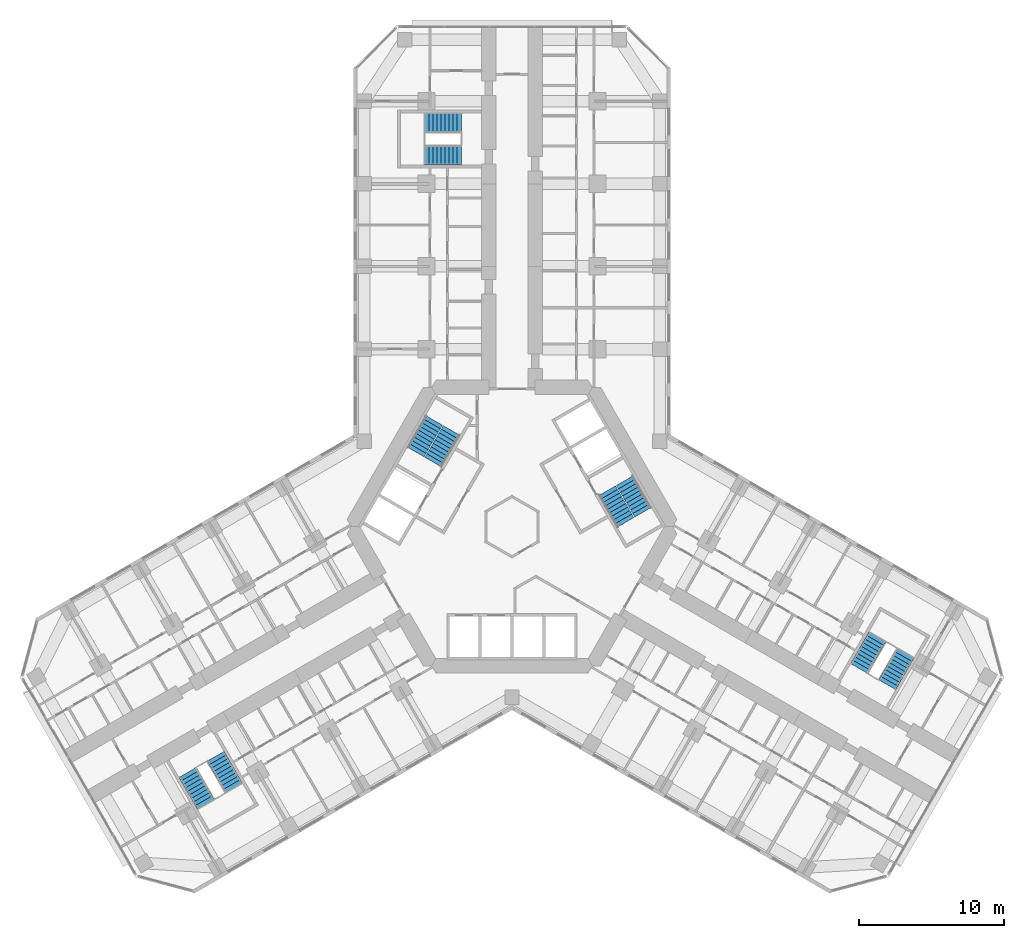
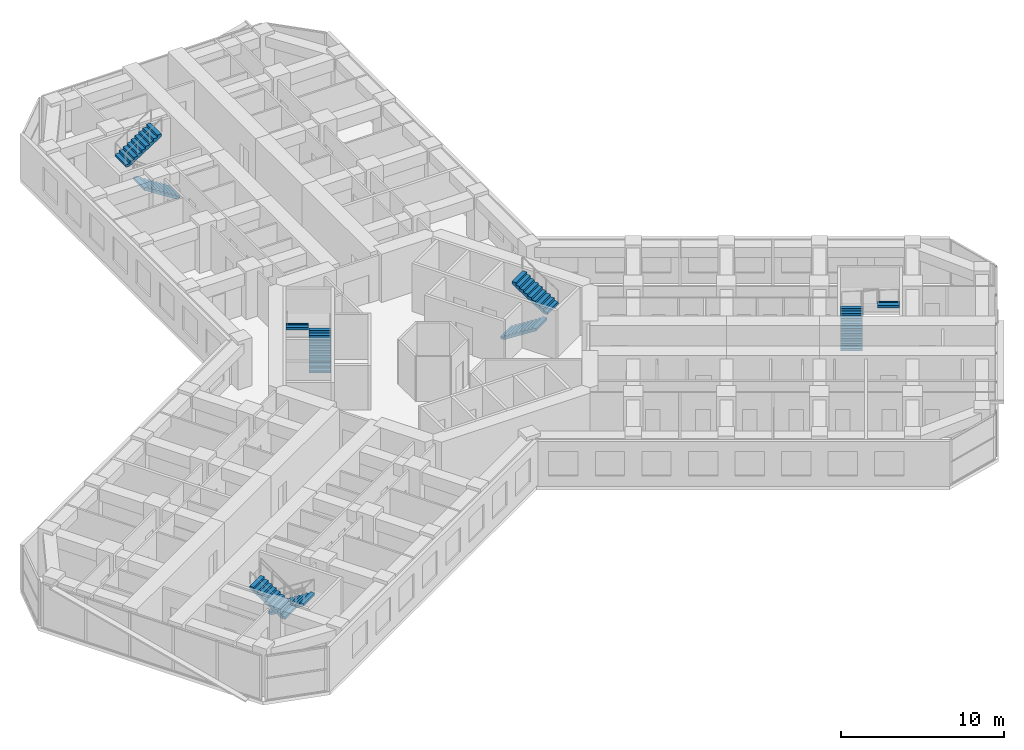
# One storey, part 20 of 21: 10 stair flights, 5 elements without a shape of their own.
"""IFC4 building model written with IfcOpenShell, lengths in metres."""

import ifcopenshell
import ifcopenshell.guid

model = None  # the IFC model being written
_history = None  # IfcOwnerHistory: only IFC2X3 demands one
_inside = {}  # id of a spatial element -> (the spatial element, [elements in it])
_under = {}  # id of a project, library or spatial element -> (it, [spatial elements below it])
_declared = {}  # id of a project -> (the project, [libraries it declares])
_typed = {}  # id of a type object -> (the type object, [elements of that type])
_made_of = {}  # id of a material, layer set ... -> (it, [elements and type objects made of it])


def new_model(schema):
    """Start an empty IFC model of exactly this schema.

    Asked for "IFC4X3", IfcOpenShell would pick the latest addendum, in which some entities
    have other attributes; the version numbers below select the first issue.
    IFC2X3 requires an IfcOwnerHistory on every rooted entity: one is made here for all.
    """
    global model, _history
    if schema == "IFC4X3":
        model = ifcopenshell.file(schema_version=(4, 3, 0, 0))
    else:
        model = ifcopenshell.file(schema=schema)
    _inside.clear()
    _under.clear()
    _declared.clear()
    _typed.clear()
    _made_of.clear()
    _history = None
    if model.schema == "IFC2X3":
        org = make("IfcOrganization", Name="unknown")
        user = make(
            "IfcPersonAndOrganization",
            ThePerson=make("IfcPerson", FamilyName="unknown"),
            TheOrganization=org,
        )
        app = make(
            "IfcApplication",
            ApplicationDeveloper=org,
            Version="unknown",
            ApplicationFullName="unknown",
            ApplicationIdentifier="unknown",
        )
        _history = make(
            "IfcOwnerHistory",
            OwningUser=user,
            OwningApplication=app,
            ChangeAction="ADDED",
            CreationDate=0,
        )
    return model


def make(cls, **values):
    """One entity of the class cls with the attributes given. An attribute that is None is left unset."""
    return model.create_entity(
        cls, **{name: value for name, value in values.items() if value is not None}
    )


def rooted(cls, **values):
    """An entity with a GlobalId (a new one), such as an element, a storey or a relation."""
    return make(cls, GlobalId=ifcopenshell.guid.new(), OwnerHistory=_history, **values)


def si_unit(unit_type, name, prefix=None):
    """IfcSIUnit, for example si_unit("LENGTHUNIT", "METRE", prefix="MILLI")."""
    return make("IfcSIUnit", UnitType=unit_type, Prefix=prefix, Name=name)


def assignment(units):
    """IfcUnitAssignment: the units of a project."""
    return None if units is None else make("IfcUnitAssignment", Units=units)


def point(xyz):
    """IfcCartesianPoint."""
    return None if xyz is None else make("IfcCartesianPoint", Coordinates=xyz)


def direction(xyz):
    """IfcDirection."""
    return None if xyz is None else make("IfcDirection", DirectionRatios=xyz)


def frame(location, z_axis=None, x_axis=None):
    """IfcAxis2Placement3D, a coordinate frame: its origin and axes. An axis left out is left unset."""
    return make(
        "IfcAxis2Placement3D",
        Location=point(location),
        Axis=direction(z_axis),
        RefDirection=direction(x_axis),
    )


def origin():
    """The frame at (0, 0, 0) with its axes left unset."""
    return frame((0.0, 0.0, 0.0))


def place(relative_to, where):
    """IfcLocalPlacement: puts the frame where relative to a parent placement (None: the world)."""
    return make(
        "IfcLocalPlacement", PlacementRelTo=relative_to, RelativePlacement=where
    )


def context(
    kind, dimensions, precision=None, world=None, true_north=None, identifier=None
):
    """IfcGeometricRepresentationContext, for example the 3D "Model" context."""
    return make(
        "IfcGeometricRepresentationContext",
        ContextIdentifier=identifier,
        ContextType=kind,
        CoordinateSpaceDimension=dimensions,
        Precision=precision,
        WorldCoordinateSystem=world,
        TrueNorth=true_north,
    )


def subcontext(parent, identifier, kind, view, scale=None):
    """IfcGeometricRepresentationSubContext, for example "Body" below "Model"."""
    return make(
        "IfcGeometricRepresentationSubContext",
        ContextIdentifier=identifier,
        ContextType=kind,
        ParentContext=parent,
        TargetScale=scale,
        TargetView=view,
    )


def project(units=None, contexts=None):
    """IfcProject with its units and contexts."""
    return rooted(
        "IfcProject",
        Name="project",
        RepresentationContexts=contexts,
        UnitsInContext=assignment(units),
    )


def spatial(cls, under=None, at=None, **own):
    """A site, building, storey or space (cls), placed at a placement, below another one or the project."""
    s = rooted(cls, ObjectPlacement=at, **own)
    if under is not None:
        _under.setdefault(under.id(), (under, []))[1].append(s)
    return s


def polyline(points):
    """IfcPolyline through the points."""
    return make("IfcPolyline", Points=[point(p) for p in points])


def outline(outer, holes=None, kind="AREA"):
    """IfcArbitraryClosedProfileDef: a profile drawn as a closed curve; with holes, ...WithVoids."""
    if holes is None:
        return make("IfcArbitraryClosedProfileDef", ProfileType=kind, OuterCurve=outer)
    return make(
        "IfcArbitraryProfileDefWithVoids",
        ProfileType=kind,
        OuterCurve=outer,
        InnerCurves=holes,
    )


def extrude(swept, where, along, depth):
    """IfcExtrudedAreaSolid: the profile swept, set in the frame where, extruded along a direction by depth."""
    return make(
        "IfcExtrudedAreaSolid",
        SweptArea=swept,
        Position=where,
        ExtrudedDirection=direction(along),
        Depth=depth,
    )


def shape(context_of_items, identifier, shape_type, items):
    """IfcShapeRepresentation: the items that make up one representation, for example the "Body"."""
    return make(
        "IfcShapeRepresentation",
        ContextOfItems=context_of_items,
        RepresentationIdentifier=identifier,
        RepresentationType=shape_type,
        Items=items,
    )


def material(Name=None, Category=None):
    """IfcMaterial."""
    return make("IfcMaterial", Name=Name, Category=Category)


def made_of(thing, what):
    """Note that an element or type object is made of a material, layer set ...; save() writes the relation."""
    if what is not None:
        _made_of.setdefault(what.id(), (what, []))[1].append(thing)
    return thing


def type_object(cls, material=None, **own):
    """A type object (cls), such as IfcWallType, which elements share."""
    return made_of(rooted(cls, **own), material)


def element(
    cls,
    number,
    at=None,
    inside=None,
    cuts=None,
    type_object=None,
    material=None,
    context=None,
    identifier="Body",
    shape_type=None,
    held_by="IfcProductDefinitionShape",
    body=None,
    shapes=None,
    **own,
):
    """One element of the class cls, such as IfcWall. Its Tag is "e" and its number.

    at: its placement. inside: the storey or other place that contains it. cuts: it is an
    opening in that element (IfcRelVoidsElement). A single representation is given by context,
    identifier, shape_type and body (its items); several are given by shapes. held_by: the class
    of the entity that holds the representations. save() writes the other relations.
    """
    e = rooted(cls, Tag="e%d" % number, ObjectPlacement=at, **own)
    if body is not None:
        shapes = [shape(context, identifier, shape_type, body)]
    if shapes is not None:
        e.Representation = make(held_by, Representations=shapes)
    if inside is not None:
        _inside.setdefault(inside.id(), (inside, []))[1].append(e)
    if cuts is not None:
        rooted(
            "IfcRelVoidsElement", RelatingBuildingElement=cuts, RelatedOpeningElement=e
        )
    if type_object is not None:
        _typed.setdefault(type_object.id(), (type_object, []))[1].append(e)
    return made_of(e, material)


def aggregate(whole, parts):
    """IfcRelAggregates: a whole, such as a stair, and the parts it consists of."""
    return rooted("IfcRelAggregates", RelatingObject=whole, RelatedObjects=parts)


def save(model, path):
    """Write the relations noted so far, then the file.

    IfcRelAggregates (storeys below a building ...), IfcRelContainedInSpatialStructure (elements
    in a storey), IfcRelDefinesByType, IfcRelAssociatesMaterial and IfcRelDeclares: one each for
    every whole, place, type object, material and project.
    """
    for whole, parts in _under.values():
        aggregate(whole, parts)
    for where, things in _inside.values():
        rooted(
            "IfcRelContainedInSpatialStructure",
            RelatedElements=things,
            RelatingStructure=where,
        )
    for kind, things in _typed.values():
        rooted("IfcRelDefinesByType", RelatedObjects=things, RelatingType=kind)
    for what, things in _made_of.values():
        rooted("IfcRelAssociatesMaterial", RelatedObjects=things, RelatingMaterial=what)
    for by, libraries in _declared.values():
        rooted("IfcRelDeclares", RelatingContext=by, RelatedDefinitions=libraries)
    model.write(path)


model = new_model("IFC4")

# Units and contexts
model_context = context("Model", 3, precision=1e-05, world=origin(), true_north=direction((0.0, 1.0)))
body_context = subcontext(model_context, "Body", "Model", "MODEL_VIEW")
ifc_project = project(units=[si_unit("LENGTHUNIT", "METRE"), si_unit("AREAUNIT", "SQUARE_METRE"), si_unit("VOLUMEUNIT", "CUBIC_METRE"), si_unit("PLANEANGLEUNIT", "RADIAN"), si_unit("MASSUNIT", "GRAM", prefix="KILO")], contexts=[model_context])

# Site, building, storey
site_placement = place(None, origin())
site = spatial("IfcSite", under=ifc_project, at=site_placement, CompositionType="ELEMENT")
building_placement = place(site_placement, origin())
building = spatial("IfcBuilding", under=site, at=building_placement, Name="Kosmar Iwan School Tower", CompositionType="ELEMENT")
storey_placement = place(building_placement, frame((0.0, 0.0, 64.60009765625)))
storey = spatial("IfcBuildingStorey", under=building, at=storey_placement, Name="L15", CompositionType="ELEMENT", Elevation=64.60009765625)

# Stair, stair flights
ifc_material_1 = material(Name="Concrete C35/45", Category="concrete")
stair_type_1 = type_object("IfcStairType", Name="Escape stair 3600", PredefinedType="HALF_TURN_STAIR", material=ifc_material_1)
stair_1_placement = place(storey_placement, origin())
stair_1 = element("IfcStair", 1, at=stair_1_placement, inside=storey, type_object=stair_type_1, Name="Stair WS1 L15", PredefinedType="HALF_TURN_STAIR")
ifc_material_2 = material(Name="Concrete C35/45", Category="concrete")
stair_flight_type_1 = type_object("IfcStairFlightType", Name="Escape stair flight 1350", PredefinedType="STRAIGHT", material=ifc_material_2)
stair_flight_1_placement = place(storey_placement, frame((-3.5, 25.625, 0.0), z_axis=(0.0, 0.0, 1.0), x_axis=(-1.0, 0.0, 0.0)))
stair_flight_1 = element("IfcStairFlight", 2, at=stair_flight_1_placement, type_object=stair_flight_type_1, Name="WS1 flight 1", NumberOfRisers=10, NumberOfTreads=9, PredefinedType="STRAIGHT", RiserHeight=0.18, TreadLength=0.28, context=body_context, shape_type="SweptSolid", body=[
    extrude(outline(polyline([(0.0, 0.0), (0.0, 0.179931640625), (0.280029296875, 0.179931640625), (0.280029296875, 0.360107421875), (0.56005859375, 0.360107421875), (0.56005859375, 0.5400390625), (0.840087890625, 0.5400390625), (0.840087890625, 0.719970703125), (1.1201171875, 0.719970703125), (1.1201171875, 0.89990234375), (1.39990234375, 0.89990234375), (1.39990234375, 1.080078125), (1.679931640625, 1.080078125), (1.679931640625, 1.260009765625), (1.9599609375, 1.260009765625), (1.9599609375, 1.43994140625), (2.239990234375, 1.43994140625), (2.239990234375, 1.6201171875), (2.52001953125, 1.6201171875), (2.52001953125, 1.800048828125), (2.52001953125, 1.44189453125), (0.277099609375, 0.0), (0.0, 0.0)])), frame((0.0, 0.675048828125, 0.0), z_axis=(0.0, -1.0, 0.0), x_axis=(1.0, 0.0, 0.0)), (0.0, 0.0, 1.0), 1.35009765625),
])
stair_flight_2_placement = place(storey_placement, frame((-6.02001953125, 27.875, 1.7998046875), z_axis=(0.0, 0.0, 1.0), x_axis=(1.0, 0.0, 0.0)))
stair_flight_2 = element("IfcStairFlight", 3, at=stair_flight_2_placement, type_object=stair_flight_type_1, Name="WS1 flight 2", NumberOfRisers=10, NumberOfTreads=9, PredefinedType="STRAIGHT", RiserHeight=0.18, TreadLength=0.28, context=body_context, shape_type="SweptSolid", body=[
    extrude(outline(polyline([(0.0, 0.0), (0.0, 0.179931640625), (0.280029296875, 0.179931640625), (0.280029296875, 0.360107421875), (0.56005859375, 0.360107421875), (0.56005859375, 0.5400390625), (0.840087890625, 0.5400390625), (0.840087890625, 0.719970703125), (1.1201171875, 0.719970703125), (1.1201171875, 0.89990234375), (1.39990234375, 0.89990234375), (1.39990234375, 1.080078125), (1.679931640625, 1.080078125), (1.679931640625, 1.260009765625), (1.9599609375, 1.260009765625), (1.9599609375, 1.43994140625), (2.239990234375, 1.43994140625), (2.239990234375, 1.6201171875), (2.52001953125, 1.6201171875), (2.52001953125, 1.800048828125), (2.52001953125, 1.44189453125), (0.277099609375, 0.0), (0.0, 0.0)])), frame((0.0, 0.675048828125, 0.0), z_axis=(0.0, -1.0, 0.0), x_axis=(1.0, 0.0, 0.0)), (0.0, 0.0, 1.0), 1.35009765625),
])
aggregate(stair_1, [stair_flight_1, stair_flight_2])

stair_2_placement = place(storey_placement, origin())
stair_2 = element("IfcStair", 4, at=stair_2_placement, inside=storey, type_object=stair_type_1, Name="Stair WS2 L15", PredefinedType="HALF_TURN_STAIR")
stair_flight_3_placement = place(storey_placement, frame((-20.44189453125, -15.843505859375, 0.0), z_axis=(0.0, 0.0, 1.0), x_axis=(0.5, -0.866025403784, 0.0)))
stair_flight_3 = element("IfcStairFlight", 5, at=stair_flight_3_placement, type_object=stair_flight_type_1, Name="WS2 flight 1", NumberOfRisers=10, NumberOfTreads=9, PredefinedType="STRAIGHT", RiserHeight=0.18, TreadLength=0.28, context=body_context, shape_type="SweptSolid", body=[
    extrude(outline(polyline([(0.0, 0.0), (0.0, 0.179931640625), (0.280029296875, 0.179931640625), (0.280029296875, 0.360107421875), (0.56005859375, 0.360107421875), (0.56005859375, 0.5400390625), (0.840087890625, 0.5400390625), (0.840087890625, 0.719970703125), (1.1201171875, 0.719970703125), (1.1201171875, 0.89990234375), (1.39990234375, 0.89990234375), (1.39990234375, 1.080078125), (1.679931640625, 1.080078125), (1.679931640625, 1.260009765625), (1.9599609375, 1.260009765625), (1.9599609375, 1.43994140625), (2.239990234375, 1.43994140625), (2.239990234375, 1.6201171875), (2.52001953125, 1.6201171875), (2.52001953125, 1.800048828125), (2.52001953125, 1.44189453125), (0.277099609375, 0.0), (0.0, 0.0)])), frame((0.0, 0.675048828125, 0.0), z_axis=(0.0, -1.0, 0.0), x_axis=(1.0, 0.0, 0.0)), (0.0, 0.0, 1.0), 1.35009765625),
])
stair_flight_4_placement = place(storey_placement, frame((-21.13037109375, -19.15087890625, 1.7998046875), z_axis=(0.0, 0.0, 1.0), x_axis=(-0.5, 0.866025403784, 0.0)))
stair_flight_4 = element("IfcStairFlight", 6, at=stair_flight_4_placement, type_object=stair_flight_type_1, Name="WS2 flight 2", NumberOfRisers=10, NumberOfTreads=9, PredefinedType="STRAIGHT", RiserHeight=0.18, TreadLength=0.28, context=body_context, shape_type="SweptSolid", body=[
    extrude(outline(polyline([(0.0, 0.0), (0.0, 0.179931640625), (0.280029296875, 0.179931640625), (0.280029296875, 0.360107421875), (0.56005859375, 0.360107421875), (0.56005859375, 0.5400390625), (0.840087890625, 0.5400390625), (0.840087890625, 0.719970703125), (1.1201171875, 0.719970703125), (1.1201171875, 0.89990234375), (1.39990234375, 0.89990234375), (1.39990234375, 1.080078125), (1.679931640625, 1.080078125), (1.679931640625, 1.260009765625), (1.9599609375, 1.260009765625), (1.9599609375, 1.43994140625), (2.239990234375, 1.43994140625), (2.239990234375, 1.6201171875), (2.52001953125, 1.6201171875), (2.52001953125, 1.800048828125), (2.52001953125, 1.44189453125), (0.277099609375, 0.0), (0.0, 0.0)])), frame((0.0, 0.675048828125, 0.0), z_axis=(0.0, -1.0, 0.0), x_axis=(1.0, 0.0, 0.0)), (0.0, 0.0, 1.0), 1.35009765625),
])
aggregate(stair_2, [stair_flight_3, stair_flight_4])

stair_3_placement = place(storey_placement, origin())
stair_3 = element("IfcStair", 7, at=stair_3_placement, inside=storey, type_object=stair_type_1, Name="Stair WS3 L15", PredefinedType="HALF_TURN_STAIR")
stair_flight_5_placement = place(storey_placement, frame((23.94189453125, -9.781494140625, 0.0), z_axis=(0.0, 0.0, 1.0), x_axis=(0.5, 0.866025403784, 0.0)))
stair_flight_5 = element("IfcStairFlight", 8, at=stair_flight_5_placement, type_object=stair_flight_type_1, Name="WS3 flight 1", NumberOfRisers=10, NumberOfTreads=9, PredefinedType="STRAIGHT", RiserHeight=0.18, TreadLength=0.28, context=body_context, shape_type="SweptSolid", body=[
    extrude(outline(polyline([(0.0, 0.0), (0.0, 0.179931640625), (0.280029296875, 0.179931640625), (0.280029296875, 0.360107421875), (0.56005859375, 0.360107421875), (0.56005859375, 0.5400390625), (0.840087890625, 0.5400390625), (0.840087890625, 0.719970703125), (1.1201171875, 0.719970703125), (1.1201171875, 0.89990234375), (1.39990234375, 0.89990234375), (1.39990234375, 1.080078125), (1.679931640625, 1.080078125), (1.679931640625, 1.260009765625), (1.9599609375, 1.260009765625), (1.9599609375, 1.43994140625), (2.239990234375, 1.43994140625), (2.239990234375, 1.6201171875), (2.52001953125, 1.6201171875), (2.52001953125, 1.800048828125), (2.52001953125, 1.44189453125), (0.277099609375, 0.0), (0.0, 0.0)])), frame((0.0, 0.675048828125, 0.0), z_axis=(0.0, -1.0, 0.0), x_axis=(1.0, 0.0, 0.0)), (0.0, 0.0, 1.0), 1.35009765625),
])
stair_flight_6_placement = place(storey_placement, frame((27.150390625, -8.72412109375, 1.7998046875), z_axis=(0.0, 0.0, 1.0), x_axis=(-0.5, -0.866025403784, 0.0)))
stair_flight_6 = element("IfcStairFlight", 9, at=stair_flight_6_placement, type_object=stair_flight_type_1, Name="WS3 flight 2", NumberOfRisers=10, NumberOfTreads=9, PredefinedType="STRAIGHT", RiserHeight=0.18, TreadLength=0.28, context=body_context, shape_type="SweptSolid", body=[
    extrude(outline(polyline([(0.0, 0.0), (0.0, 0.179931640625), (0.280029296875, 0.179931640625), (0.280029296875, 0.360107421875), (0.56005859375, 0.360107421875), (0.56005859375, 0.5400390625), (0.840087890625, 0.5400390625), (0.840087890625, 0.719970703125), (1.1201171875, 0.719970703125), (1.1201171875, 0.89990234375), (1.39990234375, 0.89990234375), (1.39990234375, 1.080078125), (1.679931640625, 1.080078125), (1.679931640625, 1.260009765625), (1.9599609375, 1.260009765625), (1.9599609375, 1.43994140625), (2.239990234375, 1.43994140625), (2.239990234375, 1.6201171875), (2.52001953125, 1.6201171875), (2.52001953125, 1.800048828125), (2.52001953125, 1.44189453125), (0.277099609375, 0.0), (0.0, 0.0)])), frame((0.0, 0.675048828125, 0.0), z_axis=(0.0, -1.0, 0.0), x_axis=(1.0, 0.0, 0.0)), (0.0, 0.0, 1.0), 1.35009765625),
])
aggregate(stair_3, [stair_flight_5, stair_flight_6])

ifc_material_3 = material(Name="Concrete C35/45", Category="concrete")
stair_type_2 = type_object("IfcStairType", Name="Core stair 2750", PredefinedType="HALF_TURN_STAIR", material=ifc_material_3)
stair_4_placement = place(storey_placement, origin())
stair_4 = element("IfcStair", 10, at=stair_4_placement, inside=storey, type_object=stair_type_2, Name="Stair ST2 L15", PredefinedType="HALF_TURN_STAIR")
ifc_material_4 = material(Name="Concrete C35/45", Category="concrete")
stair_flight_type_2 = type_object("IfcStairFlightType", Name="Stair flight 1350", PredefinedType="STRAIGHT", material=ifc_material_4)
stair_flight_7_placement = place(storey_placement, frame((-5.42724609375, 4.44970703125, 0.0), z_axis=(0.0, 0.0, 1.0), x_axis=(0.5, 0.866025403784, 0.0)))
stair_flight_7 = element("IfcStairFlight", 11, at=stair_flight_7_placement, type_object=stair_flight_type_2, Name="ST2 flight 1", NumberOfRisers=10, NumberOfTreads=9, PredefinedType="STRAIGHT", RiserHeight=0.18, TreadLength=0.28, context=body_context, shape_type="SweptSolid", body=[
    extrude(outline(polyline([(0.0, 0.0), (0.0, 0.179931640625), (0.280029296875, 0.179931640625), (0.280029296875, 0.360107421875), (0.56005859375, 0.360107421875), (0.56005859375, 0.5400390625), (0.840087890625, 0.5400390625), (0.840087890625, 0.719970703125), (1.1201171875, 0.719970703125), (1.1201171875, 0.89990234375), (1.39990234375, 0.89990234375), (1.39990234375, 1.080078125), (1.679931640625, 1.080078125), (1.679931640625, 1.260009765625), (1.9599609375, 1.260009765625), (1.9599609375, 1.43994140625), (2.239990234375, 1.43994140625), (2.239990234375, 1.6201171875), (2.52001953125, 1.6201171875), (2.52001953125, 1.800048828125), (2.52001953125, 1.44189453125), (0.277099609375, 0.0), (0.0, 0.0)])), frame((0.0, 0.675048828125, 0.0), z_axis=(0.0, -1.0, 0.0), x_axis=(1.0, 0.0, 0.0)), (0.0, 0.0, 1.0), 1.35009765625),
])
stair_flight_8_placement = place(storey_placement, frame((-5.379638671875, 7.33203125, 1.7998046875), z_axis=(0.0, 0.0, 1.0), x_axis=(-0.5, -0.866025403784, 0.0)))
stair_flight_8 = element("IfcStairFlight", 12, at=stair_flight_8_placement, type_object=stair_flight_type_2, Name="ST2 flight 2", NumberOfRisers=10, NumberOfTreads=9, PredefinedType="STRAIGHT", RiserHeight=0.18, TreadLength=0.28, context=body_context, shape_type="SweptSolid", body=[
    extrude(outline(polyline([(0.0, 0.0), (0.0, 0.179931640625), (0.280029296875, 0.179931640625), (0.280029296875, 0.360107421875), (0.56005859375, 0.360107421875), (0.56005859375, 0.5400390625), (0.840087890625, 0.5400390625), (0.840087890625, 0.719970703125), (1.1201171875, 0.719970703125), (1.1201171875, 0.89990234375), (1.39990234375, 0.89990234375), (1.39990234375, 1.080078125), (1.679931640625, 1.080078125), (1.679931640625, 1.260009765625), (1.9599609375, 1.260009765625), (1.9599609375, 1.43994140625), (2.239990234375, 1.43994140625), (2.239990234375, 1.6201171875), (2.52001953125, 1.6201171875), (2.52001953125, 1.800048828125), (2.52001953125, 1.44189453125), (0.277099609375, 0.0), (0.0, 0.0)])), frame((0.0, 0.675048828125, 0.0), z_axis=(0.0, -1.0, 0.0), x_axis=(1.0, 0.0, 0.0)), (0.0, 0.0, 1.0), 1.35009765625),
])
aggregate(stair_4, [stair_flight_7, stair_flight_8])

stair_5_placement = place(storey_placement, origin())
stair_5 = element("IfcStair", 13, at=stair_5_placement, inside=storey, type_object=stair_type_2, Name="Stair ST1 L15", PredefinedType="HALF_TURN_STAIR")
stair_flight_9_placement = place(storey_placement, frame((6.567138671875, 2.475341796875, 0.0), z_axis=(0.0, 0.0, 1.0), x_axis=(0.5, -0.866025403784, 0.0)))
stair_flight_9 = element("IfcStairFlight", 14, at=stair_flight_9_placement, type_object=stair_flight_type_2, Name="ST1 flight 1", NumberOfRisers=10, NumberOfTreads=9, PredefinedType="STRAIGHT", RiserHeight=0.18, TreadLength=0.28, context=body_context, shape_type="SweptSolid", body=[
    extrude(outline(polyline([(0.0, 0.0), (0.0, 0.179931640625), (0.280029296875, 0.179931640625), (0.280029296875, 0.360107421875), (0.56005859375, 0.360107421875), (0.56005859375, 0.5400390625), (0.840087890625, 0.5400390625), (0.840087890625, 0.719970703125), (1.1201171875, 0.719970703125), (1.1201171875, 0.89990234375), (1.39990234375, 0.89990234375), (1.39990234375, 1.080078125), (1.679931640625, 1.080078125), (1.679931640625, 1.260009765625), (1.9599609375, 1.260009765625), (1.9599609375, 1.43994140625), (2.239990234375, 1.43994140625), (2.239990234375, 1.6201171875), (2.52001953125, 1.6201171875), (2.52001953125, 1.800048828125), (2.52001953125, 1.44189453125), (0.277099609375, 0.0), (0.0, 0.0)])), frame((0.0, 0.675048828125, 0.0), z_axis=(0.0, -1.0, 0.0), x_axis=(1.0, 0.0, 0.0)), (0.0, 0.0, 1.0), 1.35009765625),
])
stair_flight_10_placement = place(storey_placement, frame((9.03955078125, 0.992919921875, 1.7998046875), z_axis=(0.0, 0.0, 1.0), x_axis=(-0.5, 0.866025403784, 0.0)))
stair_flight_10 = element("IfcStairFlight", 15, at=stair_flight_10_placement, type_object=stair_flight_type_2, Name="ST1 flight 2", NumberOfRisers=10, NumberOfTreads=9, PredefinedType="STRAIGHT", RiserHeight=0.18, TreadLength=0.28, context=body_context, shape_type="SweptSolid", body=[
    extrude(outline(polyline([(0.0, 0.0), (0.0, 0.179931640625), (0.280029296875, 0.179931640625), (0.280029296875, 0.360107421875), (0.56005859375, 0.360107421875), (0.56005859375, 0.5400390625), (0.840087890625, 0.5400390625), (0.840087890625, 0.719970703125), (1.1201171875, 0.719970703125), (1.1201171875, 0.89990234375), (1.39990234375, 0.89990234375), (1.39990234375, 1.080078125), (1.679931640625, 1.080078125), (1.679931640625, 1.260009765625), (1.9599609375, 1.260009765625), (1.9599609375, 1.43994140625), (2.239990234375, 1.43994140625), (2.239990234375, 1.6201171875), (2.52001953125, 1.6201171875), (2.52001953125, 1.800048828125), (2.52001953125, 1.44189453125), (0.277099609375, 0.0), (0.0, 0.0)])), frame((0.0, 0.675048828125, 0.0), z_axis=(0.0, -1.0, 0.0), x_axis=(1.0, 0.0, 0.0)), (0.0, 0.0, 1.0), 1.35009765625),
])
aggregate(stair_5, [stair_flight_9, stair_flight_10])

save(model, "model.ifc")
